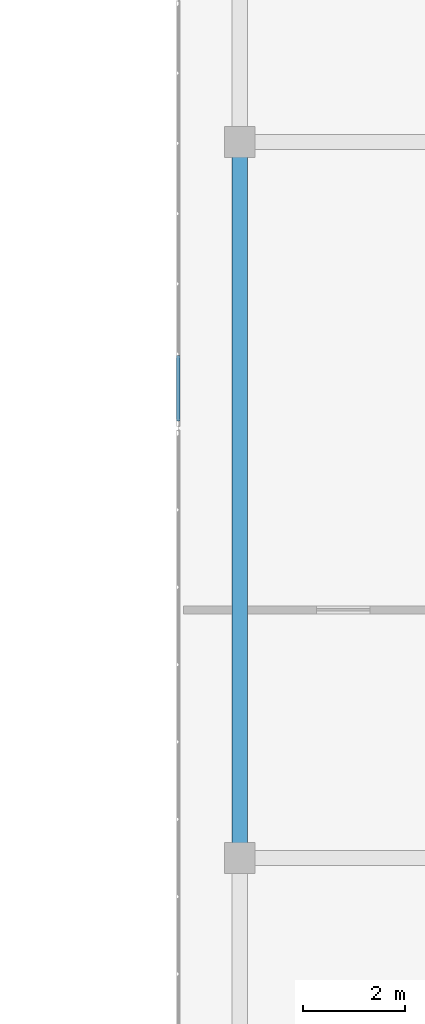
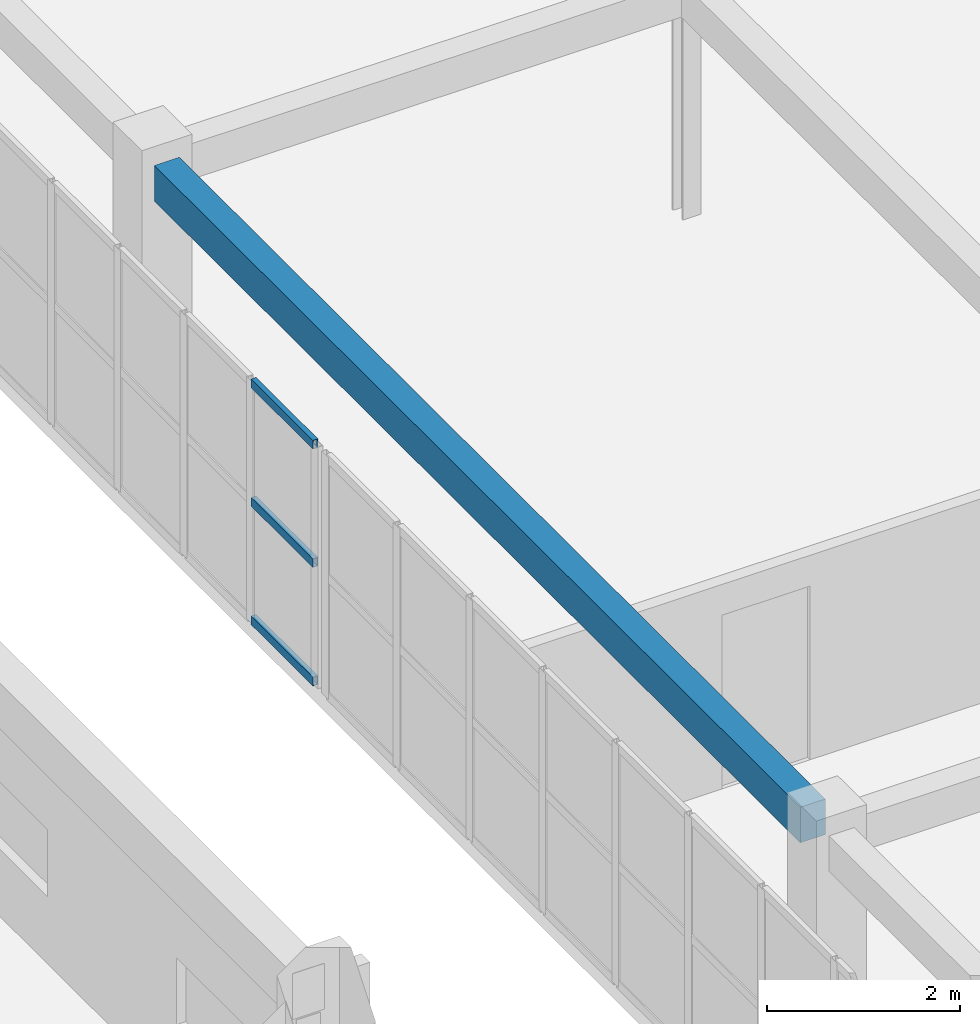
# One storey, part 80 of 200: 3 members, 1 beam, 1 element without a shape of its own.
"""IFC4 building model written with IfcOpenShell, lengths in metres."""

from ifc_helpers import new_model, si_unit, direction, frame, origin, origin_2d, place, context, subcontext, project, spatial, rectangle, hollow_rectangle, extrude, material, layer, layer_set, material_profile, profile_set, type_object, element, aggregate, save


model = new_model("IFC4")

# Units and contexts
model_context = context("Model", 3, precision=1e-05, world=origin(), true_north=direction((0.0, 1.0)))
body_context = subcontext(model_context, "Body", "Model", "MODEL_VIEW")
ifc_project = project(units=[si_unit("LENGTHUNIT", "METRE"), si_unit("AREAUNIT", "SQUARE_METRE"), si_unit("VOLUMEUNIT", "CUBIC_METRE"), si_unit("PLANEANGLEUNIT", "RADIAN"), si_unit("MASSUNIT", "GRAM", prefix="KILO")], contexts=[model_context])

# Site, building, storey
site_placement = place(None, origin())
site = spatial("IfcSite", under=ifc_project, at=site_placement, CompositionType="ELEMENT")
building_placement = place(site_placement, origin())
building = spatial("IfcBuilding", under=site, at=building_placement, Name="Trelvath General Hospital", CompositionType="ELEMENT")
storey_placement = place(building_placement, frame((0.0, 0.0, 4.800048828125)))
storey = spatial("IfcBuildingStorey", under=building, at=storey_placement, Name="L01", CompositionType="ELEMENT", Elevation=4.800048828125)

# Beam
ifc_material_1 = material(Name="Concrete C35/45", Category="concrete")
ifc_material_profile_1 = material_profile(ifc_material_1, rectangle(XDim=0.300048828125, YDim=0.449951171875, at=origin_2d()), Name="RCB300x450")
ifc_profile_set_1 = profile_set([ifc_material_profile_1], Name="Concrete C35/45")
beam_type = type_object("IfcBeamType", Name="Beam RC300x450", PredefinedType="BEAM", material=ifc_profile_set_1)
beam_placement = place(storey_placement, frame((48.0, 59.095947265625, 2.8349609375), z_axis=(0.0, 1.0, 0.0), x_axis=(-1.0, 0.0, 0.0)))
element("IfcBeam", 1, at=beam_placement, inside=storey, type_object=beam_type, Name="Cube Interior Ring Beam CUBE-W-T0 L01", PredefinedType="BEAM", context=body_context, shape_type="SweptSolid", body=[
    extrude(rectangle(XDim=0.300048828125, YDim=0.449951171875, at=origin_2d()), origin(), (0.0, 0.0, 1.0), 13.407958984375),
])

# Curtain wall, members
ifc_material_2 = material(Name="Anodised aluminium and low-E glass", Category="aluminium")
ifc_layer = layer(ifc_material_2, 0.14990234375)
ifc_layer_set = layer_set([ifc_layer], Name="Anodised aluminium and low-E glass")
curtain_wall_type = type_object("IfcCurtainWallType", Name="CW CrystalCube 824 306 15", PredefinedType="USERDEFINED", material=ifc_layer_set)
curtain_wall_placement = place(storey_placement, origin())
curtain_wall = element("IfcCurtainWall", 2, at=curtain_wall_placement, inside=storey, type_object=curtain_wall_type, Name="Crystal Cube Curtain Wall CUBE-W-T0 W5 L01", ObjectType="Unitised Glazed Curtain Wall", PredefinedType="USERDEFINED")
ifc_material_3 = material(Name="Anodised aluminium", Category="aluminium")
ifc_material_profile_2 = material_profile(ifc_material_3, hollow_rectangle(XDim=0.06005859375, YDim=0.110107421875, WallThickness=0.00390625, at=origin_2d()), Name="RHS60x110x4")
ifc_profile_set_2 = profile_set([ifc_material_profile_2], Name="Anodised aluminium")
member_type = type_object("IfcMemberType", Name="CurtainTransom 60x110", PredefinedType="USERDEFINED", material=ifc_profile_set_2)
member_1_placement = place(storey_placement, frame((46.800048828125, 67.340087890625, 0.030029296875), z_axis=(0.0, 1.0, 0.0), x_axis=(-1.0, 0.0, 0.0)))
member_1 = element("IfcMember", 3, at=member_1_placement, type_object=member_type, Name="CW-144 transom 1.1", ObjectType="TRANSOM", PredefinedType="USERDEFINED", context=body_context, shape_type="SweptSolid", body=[
    extrude(hollow_rectangle(XDim=0.06005859375, YDim=0.110107421875, WallThickness=0.00390625, at=origin_2d()), origin(), (0.0, 0.0, 1.0), 1.283203125),
])
member_2_placement = place(storey_placement, frame((46.800048828125, 67.340087890625, 1.530029296875), z_axis=(0.0, 1.0, 0.0), x_axis=(-1.0, 0.0, 0.0)))
member_2 = element("IfcMember", 4, at=member_2_placement, type_object=member_type, Name="CW-144 transom 1.2", ObjectType="TRANSOM", PredefinedType="USERDEFINED", context=body_context, shape_type="SweptSolid", body=[
    extrude(hollow_rectangle(XDim=0.06005859375, YDim=0.110107421875, WallThickness=0.00390625, at=origin_2d()), origin(), (0.0, 0.0, 1.0), 1.283203125),
])
member_3_placement = place(storey_placement, frame((46.800048828125, 67.340087890625, 3.030029296875), z_axis=(0.0, 1.0, 0.0), x_axis=(-1.0, 0.0, 0.0)))
member_3 = element("IfcMember", 5, at=member_3_placement, type_object=member_type, Name="CW-144 transom 1.3", ObjectType="TRANSOM", PredefinedType="USERDEFINED", context=body_context, shape_type="SweptSolid", body=[
    extrude(hollow_rectangle(XDim=0.06005859375, YDim=0.110107421875, WallThickness=0.00390625, at=origin_2d()), origin(), (0.0, 0.0, 1.0), 1.283203125),
])
aggregate(curtain_wall, [member_1, member_2, member_3])

save(model, "model.ifc")
